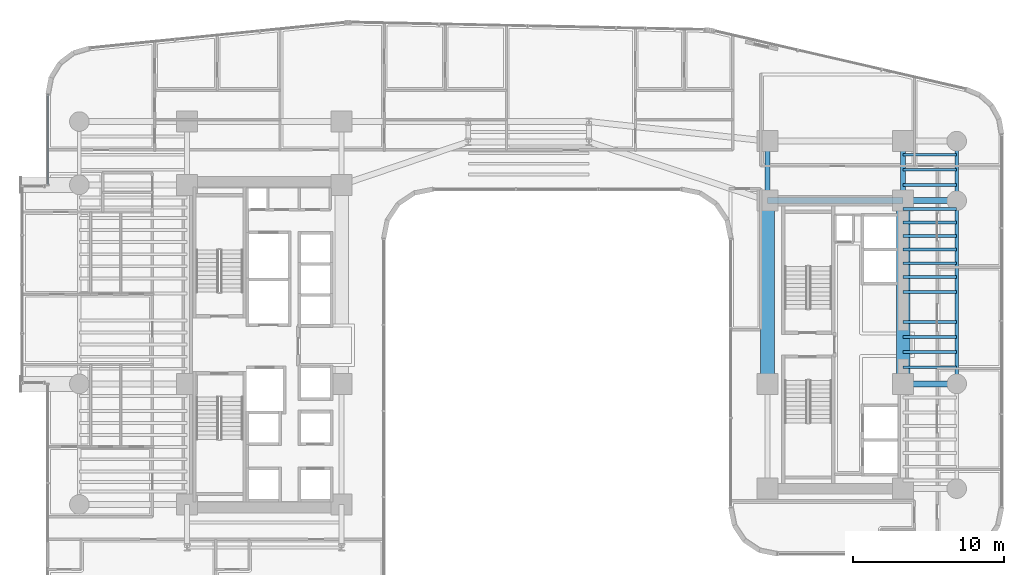
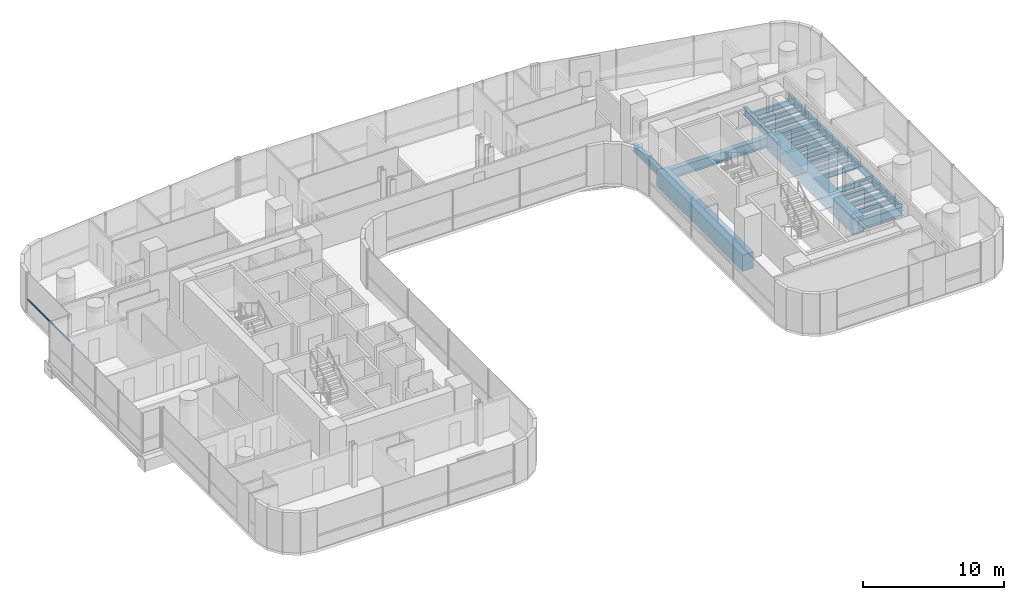
# One storey, part 16 of 40: 23 beams, 1 member, 1 element without a shape of its own.
"""IFC4 building model written with IfcOpenShell, lengths in metres."""

from ifc_helpers import new_model, si_unit, direction, frame, origin, origin_2d, place, context, subcontext, project, spatial, rectangle, hollow_rectangle, i_section, extrude, source, transform, mapped, material, material_profile, profile_set, type_object, element, aggregate, save


model = new_model("IFC4")

# Units and contexts
model_context = context("Model", 3, precision=1e-05, world=origin(), true_north=direction((0.0, 1.0)))
body_context = subcontext(model_context, "Body", "Model", "MODEL_VIEW")
ifc_project = project(units=[si_unit("LENGTHUNIT", "METRE"), si_unit("AREAUNIT", "SQUARE_METRE"), si_unit("VOLUMEUNIT", "CUBIC_METRE"), si_unit("PLANEANGLEUNIT", "RADIAN"), si_unit("MASSUNIT", "GRAM", prefix="KILO")], contexts=[model_context])

# Site, building, storey
site_placement = place(None, origin())
site = spatial("IfcSite", under=ifc_project, at=site_placement, CompositionType="ELEMENT")
building_placement = place(site_placement, origin())
building = spatial("IfcBuilding", under=site, at=building_placement, Name="Valdorenza Pilgrim Sanctuary Tower", CompositionType="ELEMENT")
storey_placement = place(building_placement, frame((0.0, 0.0, 40.800048828125)))
storey = spatial("IfcBuildingStorey", under=building, at=storey_placement, Name="L09", CompositionType="ELEMENT", Elevation=40.800048828125)

# Beams
ifc_material_1 = material(Name="Concrete C60/75", Category="concrete")
ifc_material_profile_1 = material_profile(ifc_material_1, rectangle(XDim=0.89990234375, YDim=1.39990234375, at=origin_2d()), Name="RC 1400x900")
ifc_profile_set_1 = profile_set([ifc_material_profile_1], Name="Concrete C60/75")
beam_type_1 = type_object("IfcBeamType", Name="STR-BM-LNT-1400", PredefinedType="LINTEL", material=ifc_profile_set_1)
shared_shape_1 = source(origin(), body_context, "Body", "SweptSolid", [
    extrude(rectangle(XDim=0.89990234375, YDim=1.39990234375, at=origin_2d()), origin(), (0.0, 0.0, 1.0), 12.150146484375),
])
for number, where, z_axis, x_axis, name in (
    (1, (15.85009765625, -2.60009765625, -0.739990234375), (0.0, 1.0, 0.0), (-1.0, 0.0, 0.0), "L09 Core B West Coupling Lintel Girder"),
    (2, (24.85009765625, -2.60009765625, -0.739990234375), (0.0, 1.0, 0.0), (-1.0, 0.0, 0.0), "L09 Core B East Coupling Lintel Girder"),
):
    element("IfcBeam", number, at=place(storey_placement, frame(where, z_axis=z_axis, x_axis=x_axis)), inside=storey, type_object=beam_type_1, Name=name, PredefinedType="LINTEL", context=body_context, shape_type="MappedRepresentation", body=[
        mapped(shared_shape_1, transform((0.0, 0.0, 0.0), x_axis=(1.0, 0.0, 0.0), y_axis=(0.0, 1.0, 0.0), z_axis=(0.0, 0.0, 1.0), scale=1.0)),
    ])
ifc_material_2 = material(Name="Steel ASTM A992 Grade 50", Category="steel")
ifc_material_profile_2 = material_profile(ifc_material_2, i_section(OverallWidth=0.214111328125, OverallDepth=0.549072265625, WebThickness=0.0146484375, FlangeThickness=0.023681640625, at=origin_2d()), Name="W21X93")
ifc_profile_set_2 = profile_set([ifc_material_profile_2], Name="Steel ASTM A992 Grade 50")
beam_type_2 = type_object("IfcBeamType", Name="STR-BM-SPN-W21A", PredefinedType="SPANDREL", material=ifc_profile_set_2)
shared_shape_2 = source(origin(), body_context, "Body", "SweptSolid", [
    extrude(i_section(OverallWidth=0.214111328125, OverallDepth=0.549072265625, WebThickness=0.0146484375, FlangeThickness=0.023681640625, at=origin_2d()), origin(), (0.0, 0.0, 1.0), 12.150146484375),
])
beam_1_placement = place(storey_placement, frame((28.39990234375, -2.60009765625, -0.5146484375), z_axis=(0.0, 1.0, 0.0), x_axis=(-1.0, 0.0, 0.0)))
element("IfcBeam", 3, at=beam_1_placement, inside=storey, type_object=beam_type_2, Name="L09 Spandrel Beam WB-E-M0N1", PredefinedType="SPANDREL", context=body_context, shape_type="MappedRepresentation", body=[
    mapped(shared_shape_2, transform((0.0, 0.0, 0.0), x_axis=(1.0, 0.0, 0.0), y_axis=(0.0, 1.0, 0.0), z_axis=(0.0, 0.0, 1.0), scale=1.0)),
])
ifc_material_profile_3 = material_profile(ifc_material_2, i_section(OverallWidth=0.323974609375, OverallDepth=0.611083984375, WebThickness=0.0126953125, FlangeThickness=0.01904296875, at=origin_2d()), Name="W24X104")
ifc_profile_set_3 = profile_set([ifc_material_profile_3], Name="Steel ASTM A992 Grade 50")
beam_type_3 = type_object("IfcBeamType", Name="STR-BM-GRD-W24B", PredefinedType="BEAM", material=ifc_profile_set_3)
shared_shape_3 = source(origin(), body_context, "Body", "SweptSolid", [
    extrude(i_section(OverallWidth=0.323974609375, OverallDepth=0.611083984375, WebThickness=0.0126953125, FlangeThickness=0.01904296875, at=origin_2d()), origin(), (0.0, 0.0, 1.0), 3.949951171875),
])
for number, where, z_axis, x_axis, name in (
    (4, (15.85009765625, 9.550048828125, -0.545654296875), (0.0, 1.0, 0.0), (-1.0, 0.0, 0.0), "L09 Core Tie Girder CB-W-N1N2"),
    (5, (24.85009765625, 9.550048828125, -0.545654296875), (0.0, 1.0, 0.0), (-1.0, 0.0, 0.0), "L09 Core Tie Girder CB-E-N1N2"),
):
    element("IfcBeam", number, at=place(storey_placement, frame(where, z_axis=z_axis, x_axis=x_axis)), inside=storey, type_object=beam_type_3, Name=name, PredefinedType="BEAM", context=body_context, shape_type="MappedRepresentation", body=[
        mapped(shared_shape_3, transform((0.0, 0.0, 0.0), x_axis=(1.0, 0.0, 0.0), y_axis=(0.0, 1.0, 0.0), z_axis=(0.0, 0.0, 1.0), scale=1.0)),
    ])
shared_shape_4 = source(origin(), body_context, "Body", "SweptSolid", [
    extrude(i_section(OverallWidth=0.214111328125, OverallDepth=0.549072265625, WebThickness=0.0146484375, FlangeThickness=0.023681640625, at=origin_2d()), origin(), (0.0, 0.0, 1.0), 3.949951171875),
])
beam_2_placement = place(storey_placement, frame((28.39990234375, 9.550048828125, -0.5146484375), z_axis=(0.0, 1.0, 0.0), x_axis=(-1.0, 0.0, 0.0)))
element("IfcBeam", 6, at=beam_2_placement, inside=storey, type_object=beam_type_2, Name="L09 Spandrel Beam WB-E-N1N2", PredefinedType="SPANDREL", context=body_context, shape_type="MappedRepresentation", body=[
    mapped(shared_shape_4, transform((0.0, 0.0, 0.0), x_axis=(1.0, 0.0, 0.0), y_axis=(0.0, 1.0, 0.0), z_axis=(0.0, 0.0, 1.0), scale=1.0)),
])
ifc_material_profile_4 = material_profile(ifc_material_2, i_section(OverallWidth=0.193115234375, OverallDepth=0.466064453125, WebThickness=0.011474609375, FlangeThickness=0.01904296875, at=origin_2d()), Name="W18X65")
ifc_profile_set_4 = profile_set([ifc_material_profile_4], Name="Steel ASTM A992 Grade 50")
beam_type_4 = type_object("IfcBeamType", Name="STR-BM-JST-W18A", PredefinedType="JOIST", material=ifc_profile_set_4)
shared_shape_5 = source(origin(), body_context, "Body", "SweptSolid", [
    extrude(i_section(OverallWidth=0.193115234375, OverallDepth=0.466064453125, WebThickness=0.011474609375, FlangeThickness=0.01904296875, at=origin_2d()), origin(), (0.0, 0.0, 1.0), 3.5498046875),
])
for number, where, z_axis, x_axis, name in (
    (7, (24.85009765625, -1.5, -0.47314453125), (1.0, 0.0, 0.0), (0.0, 1.0, 0.0), "L09 Composite Floor Joist JST-WB-8"),
    (8, (24.85009765625, -0.5, -0.47314453125), (1.0, 0.0, 0.0), (0.0, 1.0, 0.0), "L09 Composite Floor Joist JST-WB-9"),
    (9, (24.85009765625, 0.5, -0.47314453125), (1.0, 0.0, 0.0), (0.0, 1.0, 0.0), "L09 Composite Floor Joist JST-WB-10"),
    (10, (24.85009765625, 1.5, -0.47314453125), (1.0, 0.0, 0.0), (0.0, 1.0, 0.0), "L09 Composite Floor Joist JST-WB-11"),
    (11, (24.85009765625, 3.5, -0.47314453125), (1.0, 0.0, 0.0), (0.0, 1.0, 0.0), "L09 Composite Floor Joist JST-WB-12"),
    (12, (24.85009765625, 4.5, -0.47314453125), (1.0, 0.0, 0.0), (0.0, 1.0, 0.0), "L09 Composite Floor Joist JST-WB-13"),
    (13, (24.85009765625, 5.39990234375, -0.47314453125), (1.0, 0.0, 0.0), (0.0, 1.0, 0.0), "L09 Composite Floor Joist JST-WB-14"),
    (14, (24.85009765625, 6.300048828125, -0.47314453125), (1.0, 0.0, 0.0), (0.0, 1.0, 0.0), "L09 Composite Floor Joist JST-WB-15"),
    (15, (24.85009765625, 7.199951171875, -0.47314453125), (1.0, 0.0, 0.0), (0.0, 1.0, 0.0), "L09 Composite Floor Joist JST-WB-16"),
    (16, (24.85009765625, 8.10009765625, -0.47314453125), (1.0, 0.0, 0.0), (0.0, 1.0, 0.0), "L09 Composite Floor Joist JST-WB-17"),
    (17, (24.85009765625, 9.0, -0.47314453125), (1.0, 0.0, 0.0), (0.0, 1.0, 0.0), "L09 Composite Floor Joist JST-WB-18"),
    (18, (24.85009765625, 10.60009765625, -0.47314453125), (1.0, 0.0, 0.0), (0.0, 1.0, 0.0), "L09 Composite Floor Joist JST-WB-19"),
    (19, (24.85009765625, 11.60009765625, -0.47314453125), (1.0, 0.0, 0.0), (0.0, 1.0, 0.0), "L09 Composite Floor Joist JST-WB-20"),
    (20, (24.85009765625, 12.60009765625, -0.47314453125), (1.0, 0.0, 0.0), (0.0, 1.0, 0.0), "L09 Composite Floor Joist JST-WB-21"),
):
    element("IfcBeam", number, at=place(storey_placement, frame(where, z_axis=z_axis, x_axis=x_axis)), inside=storey, type_object=beam_type_4, Name=name, PredefinedType="JOIST", context=body_context, shape_type="MappedRepresentation", body=[
        mapped(shared_shape_5, transform((0.0, 0.0, 0.0), x_axis=(1.0, 0.0, 0.0), y_axis=(0.0, 1.0, 0.0), z_axis=(0.0, 0.0, 1.0), scale=1.0)),
    ])
ifc_material_profile_5 = material_profile(ifc_material_2, i_section(OverallWidth=0.39990234375, OverallDepth=0.862060546875, WebThickness=0.019775390625, FlangeThickness=0.032470703125, at=origin_2d()), Name="W33X221")
ifc_profile_set_5 = profile_set([ifc_material_profile_5], Name="Steel ASTM A992 Grade 50")
beam_type_5 = type_object("IfcBeamType", Name="STR-BM-GRD-W33", PredefinedType="BEAM", material=ifc_profile_set_5)
shared_shape_6 = source(origin(), body_context, "Body", "SweptSolid", [
    extrude(i_section(OverallWidth=0.39990234375, OverallDepth=0.862060546875, WebThickness=0.019775390625, FlangeThickness=0.032470703125, at=origin_2d()), origin(), (0.0, 0.0, 1.0), 9.0),
])
beam_3_placement = place(storey_placement, frame((15.85009765625, 9.550048828125, -0.671142578125), z_axis=(1.0, 0.0, 0.0), x_axis=(0.0, 1.0, 0.0)))
element("IfcBeam", 21, at=beam_3_placement, inside=storey, type_object=beam_type_5, Name="L09 Floor Girder CB-XC-N1", PredefinedType="BEAM", context=body_context, shape_type="MappedRepresentation", body=[
    mapped(shared_shape_6, transform((0.0, 0.0, 0.0), x_axis=(1.0, 0.0, 0.0), y_axis=(0.0, 1.0, 0.0), z_axis=(0.0, 0.0, 1.0), scale=1.0)),
])
shared_shape_7 = source(origin(), body_context, "Body", "SweptSolid", [
    extrude(i_section(OverallWidth=0.39990234375, OverallDepth=0.862060546875, WebThickness=0.019775390625, FlangeThickness=0.032470703125, at=origin_2d()), origin(), (0.0, 0.0, 1.0), 3.5498046875),
])
for number, where, z_axis, x_axis, name in (
    (22, (24.85009765625, -2.60009765625, -0.671142578125), (1.0, 0.0, 0.0), (0.0, 1.0, 0.0), "L09 Floor Girder WB-XE-M0"),
    (23, (24.85009765625, 9.550048828125, -0.671142578125), (1.0, 0.0, 0.0), (0.0, 1.0, 0.0), "L09 Floor Girder WB-XE-N1"),
):
    element("IfcBeam", number, at=place(storey_placement, frame(where, z_axis=z_axis, x_axis=x_axis)), inside=storey, type_object=beam_type_5, Name=name, PredefinedType="BEAM", context=body_context, shape_type="MappedRepresentation", body=[
        mapped(shared_shape_7, transform((0.0, 0.0, 0.0), x_axis=(1.0, 0.0, 0.0), y_axis=(0.0, 1.0, 0.0), z_axis=(0.0, 0.0, 1.0), scale=1.0)),
    ])

# Curtain wall, member
ifc_material_3 = material(Name="Curtain-wall IGU glazing", Category="glass")
curtain_wall_type = type_object("IfcCurtainWallType", Name="CW-SYS-02", PredefinedType="NOTDEFINED", material=ifc_material_3)
curtain_wall_placement = place(storey_placement, origin())
curtain_wall = element("IfcCurtainWall", 24, at=curtain_wall_placement, inside=storey, type_object=curtain_wall_type, Name="L09 Curtain Wall CW-L09-1-1S2", PredefinedType="NOTDEFINED")
ifc_material_4 = material(Name="Anodised aluminium AW-6060", Category="aluminium")
ifc_material_profile_6 = material_profile(ifc_material_4, hollow_rectangle(XDim=0.074951171875, YDim=0.14990234375, WallThickness=0.00390625, at=origin_2d()), Name="ALU-T 150x75x4")
ifc_profile_set_6 = profile_set([ifc_material_profile_6], Name="Anodised aluminium AW-6060")
member_type = type_object("IfcMemberType", Name="CW-TRN-02", PredefinedType="USERDEFINED", material=ifc_profile_set_6)
shared_shape_8 = source(origin(), body_context, "Body", "SweptSolid", [
    extrude(hollow_rectangle(XDim=0.074951171875, YDim=0.14990234375, WallThickness=0.00390625, at=origin_2d()), origin(), (0.0, 0.0, 1.0), 5.993896484375),
])
member_placement = place(storey_placement, frame((-31.889892578125, 10.60009765625, 1.119873046875), z_axis=(0.0, 1.0, 0.0), x_axis=(-1.0, 0.0, 0.0)))
member = element("IfcMember", 25, at=member_placement, type_object=member_type, Name="CW-L09-1-1S2 Transom 1", ObjectType="TRANSOM", PredefinedType="USERDEFINED", context=body_context, shape_type="MappedRepresentation", body=[
    mapped(shared_shape_8, transform((0.0, 0.0, 0.0), x_axis=(1.0, 0.0, 0.0), y_axis=(0.0, 1.0, 0.0), z_axis=(0.0, 0.0, 1.0), scale=1.0)),
])
aggregate(curtain_wall, [member])

save(model, "model.ifc")
